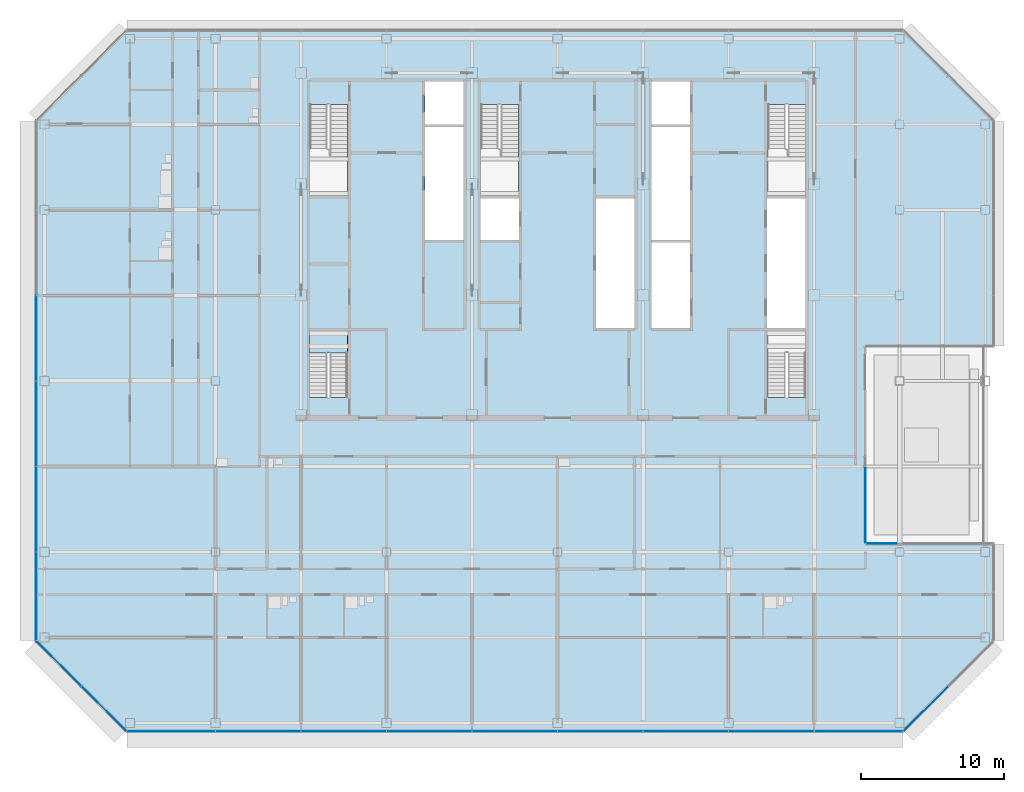
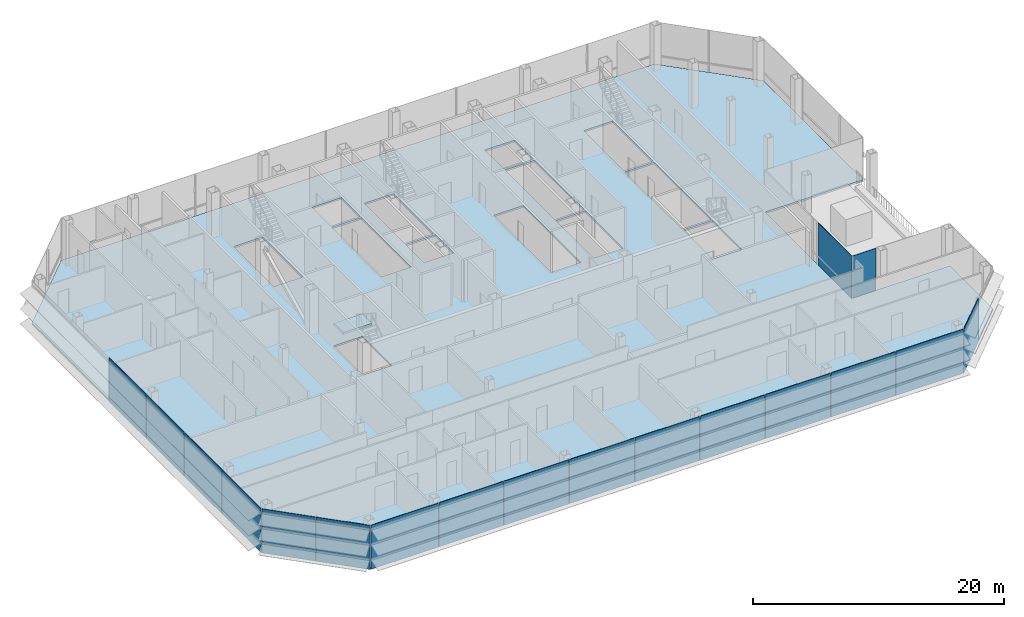
# One storey, part 19 of 30: 18 plates, 2 slabs, 7 elements without a shape of their own.
"""IFC4 building model written with IfcOpenShell, lengths in metres."""

from ifc_helpers import new_model, si_unit, direction, frame, origin, origin_2d, place, context, subcontext, project, spatial, polyline, rectangle, outline, extrude, material, layer, layer_set, type_object, element, aggregate, save


model = new_model("IFC4")

# Units and contexts
model_context = context("Model", 3, precision=1e-05, world=origin(), true_north=direction((0.0, 1.0)))
body_context = subcontext(model_context, "Body", "Model", "MODEL_VIEW")
ifc_project = project(units=[si_unit("LENGTHUNIT", "METRE"), si_unit("AREAUNIT", "SQUARE_METRE"), si_unit("VOLUMEUNIT", "CUBIC_METRE"), si_unit("PLANEANGLEUNIT", "RADIAN"), si_unit("MASSUNIT", "GRAM", prefix="KILO")], contexts=[model_context])

# Site, building, storey
site_placement = place(None, origin())
site = spatial("IfcSite", under=ifc_project, at=site_placement, CompositionType="ELEMENT")
building_placement = place(site_placement, origin())
building = spatial("IfcBuilding", under=site, at=building_placement, Name="Sorahane Residences", CompositionType="ELEMENT")
storey_placement = place(building_placement, frame((0.0, 0.0, 229.800048828125)))
storey = spatial("IfcBuildingStorey", under=building, at=storey_placement, Name="L54", CompositionType="ELEMENT", Elevation=229.800048828125)

# Slab
ifc_material_1 = material(Name="Concrete C35", Category="concrete")
ifc_layer_1 = layer(ifc_material_1, 0.179931640625)
ifc_layer_set_1 = layer_set([ifc_layer_1], Name="Composite floor slab 180 mm Concrete C35")
slab_type_1 = type_object("IfcSlabType", Name="Composite floor slab 180 mm Concrete C35", PredefinedType="FLOOR", material=ifc_layer_set_1)
slab_1_placement = place(storey_placement, frame((0.0, 0.0, -0.179931640625)))
element("IfcSlab", 1, at=slab_1_placement, inside=storey, type_object=slab_type_1, Name="Slab L54", PredefinedType="FLOOR", context=body_context, shape_type="SweptSolid", body=[
    extrude(outline(polyline([(54.60009765625, 5.75146484375), (48.24853515625, -0.60009765625), (-6.24853515625, -0.60009765625), (-12.60009765625, 5.75146484375), (-12.60009765625, 42.24853515625), (-6.24853515625, 48.60009765625), (48.24853515625, 48.60009765625), (54.60009765625, 42.24853515625), (54.60009765625, 26.39990234375), (45.60009765625, 26.39990234375), (45.60009765625, 12.60009765625), (54.60009765625, 12.60009765625), (54.60009765625, 5.75146484375)]), holes=[polyline([(38.699951171875, 27.699951171875), (41.39990234375, 27.699951171875), (41.39990234375, 36.800048828125), (38.699951171875, 36.800048828125), (38.699951171875, 27.699951171875)]), polyline([(30.60009765625, 27.699951171875), (33.300048828125, 27.699951171875), (33.300048828125, 33.699951171875), (30.60009765625, 33.699951171875), (30.60009765625, 27.699951171875)]), polyline([(30.60009765625, 42.0), (33.300048828125, 42.0), (33.300048828125, 45.0), (30.60009765625, 45.0), (30.60009765625, 42.0)]), polyline([(14.699951171875, 42.0), (17.39990234375, 42.0), (17.39990234375, 45.0), (14.699951171875, 45.0), (14.699951171875, 42.0)]), polyline([(6.60009765625, 43.39990234375), (6.60009765625, 37.0), (9.25, 37.0), (9.25, 43.39990234375), (6.60009765625, 43.39990234375)]), polyline([(38.75, 43.39990234375), (38.75, 37.0), (41.39990234375, 37.0), (41.39990234375, 43.39990234375), (38.75, 43.39990234375)]), polyline([(18.60009765625, 43.39990234375), (18.60009765625, 37.0), (21.25, 37.0), (21.25, 43.39990234375), (18.60009765625, 43.39990234375)]), polyline([(9.25, 22.85009765625), (9.25, 27.5), (6.60009765625, 27.5), (6.60009765625, 22.85009765625), (9.25, 22.85009765625)]), polyline([(41.39990234375, 22.85009765625), (41.39990234375, 27.5), (38.75, 27.5), (38.75, 22.85009765625), (41.39990234375, 22.85009765625)]), polyline([(14.699951171875, 33.89990234375), (17.39990234375, 33.89990234375), (17.39990234375, 41.800048828125), (14.699951171875, 41.800048828125), (14.699951171875, 33.89990234375)]), polyline([(30.60009765625, 33.89990234375), (33.300048828125, 33.89990234375), (33.300048828125, 41.800048828125), (30.60009765625, 41.800048828125), (30.60009765625, 33.89990234375)]), polyline([(18.60009765625, 33.89990234375), (21.300048828125, 33.89990234375), (21.300048828125, 36.800048828125), (18.60009765625, 36.800048828125), (18.60009765625, 33.89990234375)]), polyline([(26.699951171875, 27.699951171875), (29.39990234375, 27.699951171875), (29.39990234375, 36.800048828125), (26.699951171875, 36.800048828125), (26.699951171875, 27.699951171875)])]), origin(), (0.0, 0.0, 1.0), 0.179931640625),
])

# Curtain wall, plate
ifc_material_2 = material(Name="Dark low-e glass and black anodised aluminium", Category="aluminium")
curtain_wall_type_1 = type_object("IfcCurtainWallType", Name="Curtain wall CW-1 Typical unitised wall", PredefinedType="NOTDEFINED", material=ifc_material_2)
curtain_wall_1_placement = place(storey_placement, origin())
curtain_wall_1 = element("IfcCurtainWall", 2, at=curtain_wall_1_placement, inside=storey, type_object=curtain_wall_type_1, Name="CW-1 curtain wall L54 N1", PredefinedType="NOTDEFINED")
ifc_material_3 = material(Name="Dark low-e glass with black ceramic frit", Category="glass")
ifc_layer_2 = layer(ifc_material_3, 0.0400390625)
ifc_layer_set_2 = layer_set([ifc_layer_2], Name="Curtain wall glass panel dark low-e with black frit spandrel band")
plate_type = type_object("IfcPlateType", Name="Curtain wall glass panel dark low-e with black frit spandrel band", PredefinedType="CURTAIN_PANEL", material=ifc_layer_set_2)
plate_1_placement = place(storey_placement, frame((46.72509765625, 12.60009765625, -0.18017578125), z_axis=(0.0, 0.0, 1.0), x_axis=(-1.0, 0.0, 0.0)))
plate_1 = element("IfcPlate", 3, at=plate_1_placement, type_object=plate_type, Name="CW-1 glass panel L54 N1.2", PredefinedType="CURTAIN_PANEL", context=body_context, shape_type="SweptSolid", body=[
    extrude(rectangle(XDim=2.14990234375, YDim=0.0400390625, at=origin_2d()), origin(), (0.0, 0.0, 1.0), 4.280029296875),
])
aggregate(curtain_wall_1, [plate_1])

curtain_wall_2_placement = place(storey_placement, origin())
curtain_wall_2 = element("IfcCurtainWall", 4, at=curtain_wall_2_placement, inside=storey, type_object=curtain_wall_type_1, Name="CW-1 curtain wall L54 E2", PredefinedType="NOTDEFINED")
plate_2_placement = place(storey_placement, frame((45.60009765625, 15.3125, -0.18017578125), z_axis=(0.0, 0.0, 1.0), x_axis=(0.0, 1.0, 0.0)))
plate_2 = element("IfcPlate", 5, at=plate_2_placement, type_object=plate_type, Name="CW-1 glass panel L54 E2.1", PredefinedType="CURTAIN_PANEL", context=body_context, shape_type="SweptSolid", body=[
    extrude(rectangle(XDim=5.324951171875, YDim=0.0400390625, at=origin_2d()), origin(), (0.0, 0.0, 1.0), 4.280029296875),
])
aggregate(curtain_wall_2, [plate_2])

# Curtain wall, plates
curtain_wall_3_placement = place(storey_placement, origin())
curtain_wall_3 = element("IfcCurtainWall", 6, at=curtain_wall_3_placement, inside=storey, type_object=curtain_wall_type_1, Name="CW-1 curtain wall L54 W1", PredefinedType="NOTDEFINED")
plate_3_placement = place(storey_placement, frame((-12.60009765625, 27.0, -0.18017578125), z_axis=(0.0, 0.0, 1.0), x_axis=(0.0, -1.0, 0.0)))
plate_3 = element("IfcPlate", 7, at=plate_3_placement, type_object=plate_type, Name="CW-1 glass panel L54 W1.3", PredefinedType="CURTAIN_PANEL", context=body_context, shape_type="SweptSolid", body=[
    extrude(rectangle(XDim=5.949951171875, YDim=0.0400390625, at=origin_2d()), origin(), (0.0, 0.0, 1.0), 4.280029296875),
])
plate_4_placement = place(storey_placement, frame((-12.60009765625, 21.0, -0.18017578125), z_axis=(0.0, 0.0, 1.0), x_axis=(0.0, -1.0, 0.0)))
plate_4 = element("IfcPlate", 8, at=plate_4_placement, type_object=plate_type, Name="CW-1 glass panel L54 W1.4", PredefinedType="CURTAIN_PANEL", context=body_context, shape_type="SweptSolid", body=[
    extrude(rectangle(XDim=5.949951171875, YDim=0.0400390625, at=origin_2d()), origin(), (0.0, 0.0, 1.0), 4.280029296875),
])
plate_5_placement = place(storey_placement, frame((-12.60009765625, 15.0, -0.18017578125), z_axis=(0.0, 0.0, 1.0), x_axis=(0.0, -1.0, 0.0)))
plate_5 = element("IfcPlate", 9, at=plate_5_placement, type_object=plate_type, Name="CW-1 glass panel L54 W1.5", PredefinedType="CURTAIN_PANEL", context=body_context, shape_type="SweptSolid", body=[
    extrude(rectangle(XDim=5.949951171875, YDim=0.0400390625, at=origin_2d()), origin(), (0.0, 0.0, 1.0), 4.280029296875),
])
plate_6_placement = place(storey_placement, frame((-12.60009765625, 8.88818359375, -0.18017578125), z_axis=(0.0, 0.0, 1.0), x_axis=(0.0, -1.0, 0.0)))
plate_6 = element("IfcPlate", 10, at=plate_6_placement, type_object=plate_type, Name="CW-1 glass panel L54 W1.6", PredefinedType="CURTAIN_PANEL", context=body_context, shape_type="SweptSolid", body=[
    extrude(rectangle(XDim=6.173583984375, YDim=0.0400390625, at=origin_2d()), origin(), (0.0, 0.0, 1.0), 4.280029296875),
])
aggregate(curtain_wall_3, [plate_3, plate_4, plate_5, plate_6])

ifc_material_4 = material(Name="Dark low-e glass and black anodised aluminium", Category="aluminium")
curtain_wall_type_2 = type_object("IfcCurtainWallType", Name="Curtain wall CW-2 Chamfer unitised wall", PredefinedType="NOTDEFINED", material=ifc_material_4)
curtain_wall_4_placement = place(storey_placement, origin())
curtain_wall_4 = element("IfcCurtainWall", 11, at=curtain_wall_4_placement, inside=storey, type_object=curtain_wall_type_2, Name="CW-2 curtain wall L54 SW1", PredefinedType="NOTDEFINED")
plate_7_placement = place(storey_placement, frame((-11.003173828125, 4.15478515625, -0.18017578125), z_axis=(0.0, 0.0, 1.0), x_axis=(0.707106781187, -0.707106781187, 0.0)))
plate_7 = element("IfcPlate", 12, at=plate_7_placement, type_object=plate_type, Name="CW-2 glass panel L54 SW1.1", PredefinedType="CURTAIN_PANEL", context=body_context, shape_type="SweptSolid", body=[
    extrude(rectangle(XDim=4.416259765625, YDim=0.0400390625, at=origin_2d()), origin(), (0.0, 0.0, 1.0), 4.280029296875),
])
plate_8_placement = place(storey_placement, frame((-7.84521484375, 0.996826171875, -0.18017578125), z_axis=(0.0, 0.0, 1.0), x_axis=(0.707106781187, -0.707106781187, 0.0)))
plate_8 = element("IfcPlate", 13, at=plate_8_placement, type_object=plate_type, Name="CW-2 glass panel L54 SW1.2", PredefinedType="CURTAIN_PANEL", context=body_context, shape_type="SweptSolid", body=[
    extrude(rectangle(XDim=4.416259765625, YDim=0.0400390625, at=origin_2d()), origin(), (0.0, 0.0, 1.0), 4.280029296875),
])
aggregate(curtain_wall_4, [plate_7, plate_8])

curtain_wall_5_placement = place(storey_placement, origin())
curtain_wall_5 = element("IfcCurtainWall", 14, at=curtain_wall_5_placement, inside=storey, type_object=curtain_wall_type_1, Name="CW-1 curtain wall L54 S2", PredefinedType="NOTDEFINED")
plate_9_placement = place(storey_placement, frame((-3.11181640625, -0.60009765625, -0.18017578125), z_axis=(0.0, 0.0, 1.0), x_axis=(1.0, 0.0, 0.0)))
plate_9 = element("IfcPlate", 15, at=plate_9_placement, type_object=plate_type, Name="CW-1 glass panel L54 S2.1", PredefinedType="CURTAIN_PANEL", context=body_context, shape_type="SweptSolid", body=[
    extrude(rectangle(XDim=6.173583984375, YDim=0.0400390625, at=origin_2d()), origin(), (0.0, 0.0, 1.0), 4.280029296875),
])
plate_10_placement = place(storey_placement, frame((3.0, -0.60009765625, -0.18017578125), z_axis=(0.0, 0.0, 1.0), x_axis=(1.0, 0.0, 0.0)))
plate_10 = element("IfcPlate", 16, at=plate_10_placement, type_object=plate_type, Name="CW-1 glass panel L54 S2.2", PredefinedType="CURTAIN_PANEL", context=body_context, shape_type="SweptSolid", body=[
    extrude(rectangle(XDim=5.949951171875, YDim=0.0400390625, at=origin_2d()), origin(), (0.0, 0.0, 1.0), 4.280029296875),
])
plate_11_placement = place(storey_placement, frame((9.0, -0.60009765625, -0.18017578125), z_axis=(0.0, 0.0, 1.0), x_axis=(1.0, 0.0, 0.0)))
plate_11 = element("IfcPlate", 17, at=plate_11_placement, type_object=plate_type, Name="CW-1 glass panel L54 S2.3", PredefinedType="CURTAIN_PANEL", context=body_context, shape_type="SweptSolid", body=[
    extrude(rectangle(XDim=5.949951171875, YDim=0.0400390625, at=origin_2d()), origin(), (0.0, 0.0, 1.0), 4.280029296875),
])
plate_12_placement = place(storey_placement, frame((15.0, -0.60009765625, -0.18017578125), z_axis=(0.0, 0.0, 1.0), x_axis=(1.0, 0.0, 0.0)))
plate_12 = element("IfcPlate", 18, at=plate_12_placement, type_object=plate_type, Name="CW-1 glass panel L54 S2.4", PredefinedType="CURTAIN_PANEL", context=body_context, shape_type="SweptSolid", body=[
    extrude(rectangle(XDim=5.949951171875, YDim=0.0400390625, at=origin_2d()), origin(), (0.0, 0.0, 1.0), 4.280029296875),
])
plate_13_placement = place(storey_placement, frame((21.0, -0.60009765625, -0.18017578125), z_axis=(0.0, 0.0, 1.0), x_axis=(1.0, 0.0, 0.0)))
plate_13 = element("IfcPlate", 19, at=plate_13_placement, type_object=plate_type, Name="CW-1 glass panel L54 S2.5", PredefinedType="CURTAIN_PANEL", context=body_context, shape_type="SweptSolid", body=[
    extrude(rectangle(XDim=5.949951171875, YDim=0.0400390625, at=origin_2d()), origin(), (0.0, 0.0, 1.0), 4.280029296875),
])
plate_14_placement = place(storey_placement, frame((27.0, -0.60009765625, -0.18017578125), z_axis=(0.0, 0.0, 1.0), x_axis=(1.0, 0.0, 0.0)))
plate_14 = element("IfcPlate", 20, at=plate_14_placement, type_object=plate_type, Name="CW-1 glass panel L54 S2.6", PredefinedType="CURTAIN_PANEL", context=body_context, shape_type="SweptSolid", body=[
    extrude(rectangle(XDim=5.949951171875, YDim=0.0400390625, at=origin_2d()), origin(), (0.0, 0.0, 1.0), 4.280029296875),
])
plate_15_placement = place(storey_placement, frame((33.0, -0.60009765625, -0.18017578125), z_axis=(0.0, 0.0, 1.0), x_axis=(1.0, 0.0, 0.0)))
plate_15 = element("IfcPlate", 21, at=plate_15_placement, type_object=plate_type, Name="CW-1 glass panel L54 S2.7", PredefinedType="CURTAIN_PANEL", context=body_context, shape_type="SweptSolid", body=[
    extrude(rectangle(XDim=5.949951171875, YDim=0.0400390625, at=origin_2d()), origin(), (0.0, 0.0, 1.0), 4.280029296875),
])
plate_16_placement = place(storey_placement, frame((39.0, -0.60009765625, -0.18017578125), z_axis=(0.0, 0.0, 1.0), x_axis=(1.0, 0.0, 0.0)))
plate_16 = element("IfcPlate", 22, at=plate_16_placement, type_object=plate_type, Name="CW-1 glass panel L54 S2.8", PredefinedType="CURTAIN_PANEL", context=body_context, shape_type="SweptSolid", body=[
    extrude(rectangle(XDim=5.949951171875, YDim=0.0400390625, at=origin_2d()), origin(), (0.0, 0.0, 1.0), 4.280029296875),
])
plate_17_placement = place(storey_placement, frame((45.11181640625, -0.60009765625, -0.18017578125), z_axis=(0.0, 0.0, 1.0), x_axis=(1.0, 0.0, 0.0)))
plate_17 = element("IfcPlate", 23, at=plate_17_placement, type_object=plate_type, Name="CW-1 glass panel L54 S2.9", PredefinedType="CURTAIN_PANEL", context=body_context, shape_type="SweptSolid", body=[
    extrude(rectangle(XDim=6.173583984375, YDim=0.0400390625, at=origin_2d()), origin(), (0.0, 0.0, 1.0), 4.280029296875),
])
aggregate(curtain_wall_5, [plate_9, plate_10, plate_11, plate_12, plate_13, plate_14, plate_15, plate_16, plate_17])

# Curtain wall, plate
curtain_wall_6_placement = place(storey_placement, origin())
curtain_wall_6 = element("IfcCurtainWall", 24, at=curtain_wall_6_placement, inside=storey, type_object=curtain_wall_type_2, Name="CW-2 curtain wall L54 SE1", PredefinedType="NOTDEFINED")
plate_18_placement = place(storey_placement, frame((49.84521484375, 0.996826171875, -0.18017578125), z_axis=(0.0, 0.0, 1.0), x_axis=(0.707106781187, 0.707106781187, 0.0)))
plate_18 = element("IfcPlate", 25, at=plate_18_placement, type_object=plate_type, Name="CW-2 glass panel L54 SE1.1", PredefinedType="CURTAIN_PANEL", context=body_context, shape_type="SweptSolid", body=[
    extrude(rectangle(XDim=4.416259765625, YDim=0.0400390625, at=origin_2d()), origin(), (0.0, 0.0, 1.0), 4.280029296875),
])
aggregate(curtain_wall_6, [plate_18])

# Stair, slab
ifc_material_5 = material(Name="Concrete C40", Category="concrete")
stair_type = type_object("IfcStairType", Name="Dog-leg stair 1250 Concrete C40", PredefinedType="HALF_TURN_STAIR", material=ifc_material_5)
stair_placement = place(storey_placement, origin())
stair = element("IfcStair", 26, at=stair_placement, inside=storey, type_object=stair_type, Name="L54 Stair S4", PredefinedType="HALF_TURN_STAIR")
ifc_material_6 = material(Name="Concrete C40", Category="concrete")
ifc_layer_3 = layer(ifc_material_6, 0.199951171875)
ifc_layer_set_3 = layer_set([ifc_layer_3], Name="Stair landing 200 Concrete C40")
slab_type_2 = type_object("IfcSlabType", Name="Stair landing 200 Concrete C40", PredefinedType="LANDING", material=ifc_layer_set_3)
slab_2_placement = place(storey_placement, frame((0.0, 0.0, 2.0)))
slab_2 = element("IfcSlab", 27, at=slab_2_placement, type_object=slab_type_2, Name="S4 landing 1", PredefinedType="LANDING", context=body_context, shape_type="SweptSolid", body=[
    extrude(outline(polyline([(9.25, 25.969970703125), (9.25, 27.5), (6.60009765625, 27.5), (6.60009765625, 25.969970703125), (9.25, 25.969970703125)])), origin(), (0.0, 0.0, 1.0), 0.199951171875),
])
aggregate(stair, [slab_2])

save(model, "model.ifc")
